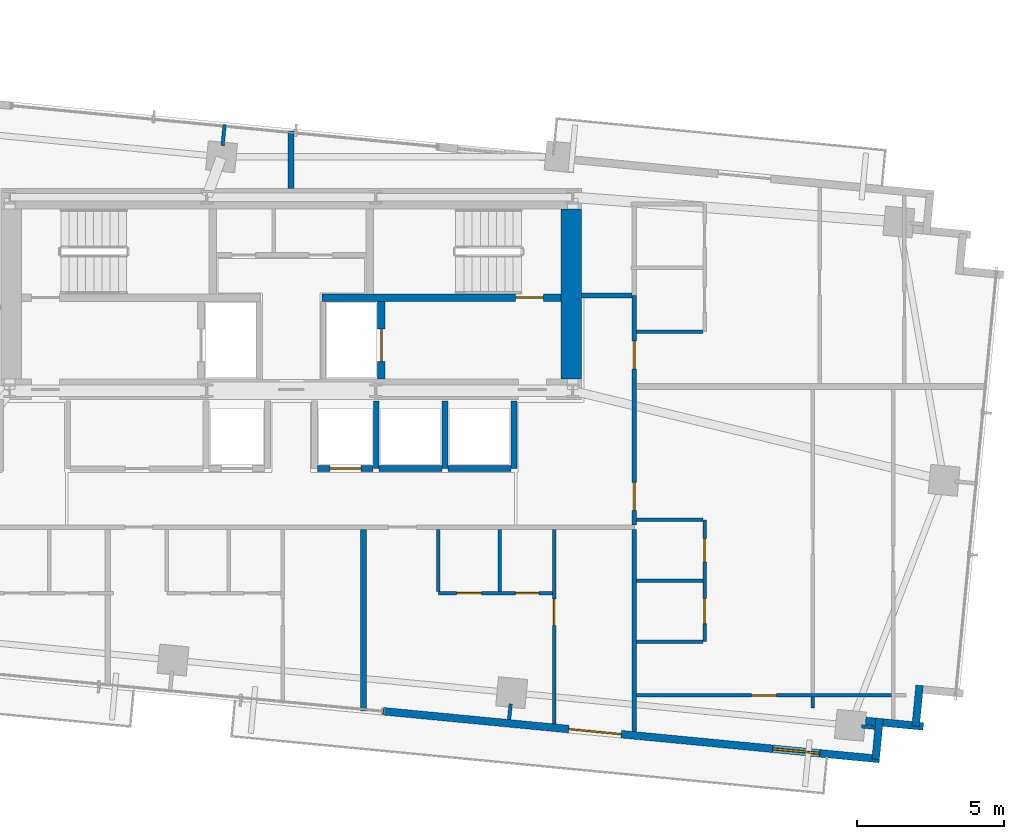
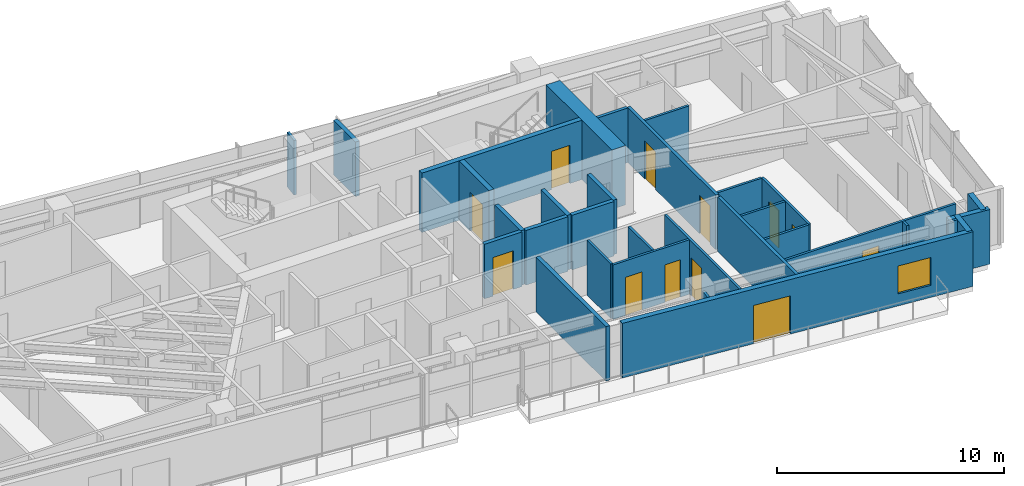
# One storey, part 16 of 19: 32 walls, 12 doors, 1 window, 13 openings.
"""IFC4 building model written with IfcOpenShell, lengths in metres."""

from ifc_helpers import new_model, si_unit, direction, frame, frame_2d, origin, place, context, subcontext, project, spatial, rectangle, extrude, source, transform, mapped, material, layer, layer_set, type_object, type_shapes, element, fill, save


model = new_model("IFC4")

# Units and contexts
model_context = context("Model", 3, precision=1e-05, world=origin(), true_north=direction((0.0, 1.0)))
body_context = subcontext(model_context, "Body", "Model", "MODEL_VIEW")
ifc_project = project(units=[si_unit("LENGTHUNIT", "METRE"), si_unit("AREAUNIT", "SQUARE_METRE"), si_unit("VOLUMEUNIT", "CUBIC_METRE"), si_unit("PLANEANGLEUNIT", "RADIAN"), si_unit("MASSUNIT", "GRAM", prefix="KILO")], contexts=[model_context])

# Site, building, storey
site_placement = place(None, origin())
site = spatial("IfcSite", under=ifc_project, at=site_placement, CompositionType="ELEMENT")
building_placement = place(site_placement, origin())
building = spatial("IfcBuilding", under=site, at=building_placement, Name="Astriad Promenade Condominiums", CompositionType="ELEMENT")
storey_placement = place(building_placement, frame((0.0, 0.0, 140.60009765625)))
storey = spatial("IfcBuildingStorey", under=building, at=storey_placement, Name="L40", CompositionType="ELEMENT", Elevation=140.60009765625)

# Wall
ifc_material_1 = material(Name="Concrete C60/75", Category="concrete")
ifc_layer_1 = layer(ifc_material_1, 0.699951171875)
ifc_layer_set_1 = layer_set([ifc_layer_1], Name="Concrete C60/75")
wall_type_1 = type_object("IfcWallType", Name="CW-SHEAR-700", PredefinedType="SHEAR", material=ifc_layer_set_1)
wall_1_placement = place(storey_placement, frame((45.550048828125, 17.802001953125, 0.0), z_axis=(0.0, 0.0, 1.0), x_axis=(0.0, 1.0, 0.0)))
element("IfcWall", 1, at=wall_1_placement, inside=storey, type_object=wall_type_1, Name="CW-CORE-E-L40", PredefinedType="SHEAR", context=body_context, shape_type="SweptSolid", body=[
    extrude(rectangle(XDim=5.7958984375, YDim=0.699951171875, at=frame_2d((2.89794921875, 0.0))), origin(), (0.0, 0.0, 1.0), 3.199951171875),
])

# Wall, opening, door
ifc_material_2 = material(Name="Concrete C50/60", Category="concrete")
ifc_layer_2 = layer(ifc_material_2, 0.25)
ifc_layer_set_2 = layer_set([ifc_layer_2], Name="Concrete C50/60")
wall_type_2 = type_object("IfcWallType", Name="WALL-CORE-INT-250", PredefinedType="SOLIDWALL", material=ifc_layer_set_2)
wall_2_placement = place(storey_placement, frame((37.050048828125, 20.574951171875, 0.0), z_axis=(0.0, 0.0, 1.0), x_axis=(1.0, 0.0, 0.0)))
wall_2 = element("IfcWall", 2, at=wall_2_placement, inside=storey, type_object=wall_type_2, Name="CW-INT-H2-L40", PredefinedType="SOLIDWALL", context=body_context, shape_type="SweptSolid", body=[
    extrude(rectangle(XDim=8.14794921875, YDim=0.25, at=frame_2d((4.073974609375, 0.0))), origin(), (0.0, 0.0, 1.0), 3.199951171875),
])
opening_1_placement = place(wall_2_placement, frame((6.60009765625, 0.0, 0.0)))
opening_1 = element("IfcOpeningElement", 3, at=opening_1_placement, cuts=wall_2, Name="Opening FD90-ST-095", PredefinedType="OPENING", context=body_context, shape_type="SweptSolid", body=[
    extrude(rectangle(XDim=0.949951171875, YDim=2.06005859375, at=frame_2d((0.47509765625, 1.030029296875))), frame((0.0, 0.135009765625, 0.0), z_axis=(0.0, -1.0, 0.0), x_axis=(1.0, 0.0, 0.0)), (0.0, 0.0, 1.0), 0.27001953125),
])
ifc_material_3 = material(Name="Fire-Rated Hollow Metal Stair Door")
door_type_1 = type_object("IfcDoorType", Name="FD90-ST-095", OperationType="NOTDEFINED", PredefinedType="DOOR", material=ifc_material_3)
shared_shape_1 = source(origin(), body_context, "Body", "SweptSolid", [
    extrude(rectangle(XDim=0.949951171875, YDim=2.06005859375, at=frame_2d((0.47509765625, 1.030029296875))), frame((0.0, 0.02490234375, 0.0), z_axis=(0.0, -1.0, 0.0), x_axis=(1.0, 0.0, 0.0)), (0.0, 0.0, 1.0), 0.050048828125),
])
type_shapes(door_type_1, [shared_shape_1])
door_1_placement = place(opening_1_placement, origin())
door_1 = element("IfcDoor", 4, at=door_1_placement, inside=storey, type_object=door_type_1, Name="D-ST2-L40", OperationType="SINGLE_SWING_LEFT", OverallHeight=2.06005859375, OverallWidth=0.949951171875, PredefinedType="DOOR", context=body_context, shape_type="MappedRepresentation", body=[
    mapped(shared_shape_1, transform((0.0, 0.0, 0.0), scale=1.0)),
])
fill(opening_1, door_1)

wall_3_placement = place(storey_placement, frame((39.074951171875, 17.802001953125, 0.0), z_axis=(0.0, 0.0, 1.0), x_axis=(0.0, 1.0, 0.0)))
wall_3 = element("IfcWall", 5, at=wall_3_placement, inside=storey, type_object=wall_type_2, Name="CW-FFL2-E-L40", PredefinedType="SOLIDWALL", context=body_context, shape_type="SweptSolid", body=[
    extrude(rectangle(XDim=2.64599609375, YDim=0.25, at=frame_2d((1.322998046875, 0.0))), origin(), (0.0, 0.0, 1.0), 3.199951171875),
])
opening_2_placement = place(wall_3_placement, frame((0.597900390625, 0.0, 0.0)))
opening_2 = element("IfcOpeningElement", 6, at=opening_2_placement, cuts=wall_3, Name="Opening LD-FFL-1122", PredefinedType="OPENING", context=body_context, shape_type="SweptSolid", body=[
    extrude(rectangle(XDim=1.10009765625, YDim=2.080078125, at=frame_2d((0.550048828125, 1.0400390625))), frame((0.0, 0.135009765625, 0.0), z_axis=(0.0, -1.0, 0.0), x_axis=(1.0, 0.0, 0.0)), (0.0, 0.0, 1.0), 0.27001953125),
])
ifc_material_4 = material(Name="Brushed Stainless Steel Fire Elevator Landing Door", Category="steel")
door_type_2 = type_object("IfcDoorType", Name="LD-FFL-1122", OperationType="NOTDEFINED", PredefinedType="DOOR", material=ifc_material_4)
shared_shape_2 = source(origin(), body_context, "Body", "SweptSolid", [
    extrude(rectangle(XDim=1.10009765625, YDim=2.080078125, at=frame_2d((0.550048828125, 1.0400390625))), frame((0.0, 0.02490234375, 0.0), z_axis=(0.0, -1.0, 0.0), x_axis=(1.0, 0.0, 0.0)), (0.0, 0.0, 1.0), 0.050048828125),
])
type_shapes(door_type_2, [shared_shape_2])
door_2_placement = place(opening_2_placement, origin())
door_2 = element("IfcDoor", 7, at=door_2_placement, inside=storey, type_object=door_type_2, Name="Elevator Landing Door FFL-2 (L40)", OperationType="SLIDING_TO_RIGHT", OverallHeight=2.080078125, OverallWidth=1.10009765625, PredefinedType="DOOR", context=body_context, shape_type="MappedRepresentation", body=[
    mapped(shared_shape_2, transform((0.0, 0.0, 0.0), scale=1.0)),
])
fill(opening_2, door_2)

# Wall
ifc_material_5 = material(Name="Fire-Rated Gypsum Partition")
ifc_layer_3 = layer(ifc_material_5, 0.159912109375)
ifc_layer_set_3 = layer_set([ifc_layer_3], Name="Fire-Rated Gypsum Partition")
wall_type_3 = type_object("IfcWallType", Name="WALL-CORR-160", PredefinedType="PARTITIONING", material=ifc_layer_set_3)
wall_4_placement = place(storey_placement, frame((47.699951171875, 5.783203125, 0.0), z_axis=(0.0, 0.0, 1.0), x_axis=(0.0, 1.0, 0.0)))
element("IfcWall", 8, at=wall_4_placement, inside=storey, type_object=wall_type_3, Name="PT-COR-E-L40", PredefinedType="PARTITIONING", context=body_context, shape_type="SweptSolid", body=[
    extrude(rectangle(XDim=6.884765625, YDim=0.159912109375, at=frame_2d((3.4423828125, 0.0))), origin(), (0.0, 0.0, 1.0), 2.93994140625),
])

# Wall, openings, doors
wall_5_placement = place(storey_placement, frame((47.699951171875, 12.83203125, 0.0), z_axis=(0.0, 0.0, 1.0), x_axis=(0.0, 1.0, 0.0)))
wall_5 = element("IfcWall", 9, at=wall_5_placement, inside=storey, type_object=wall_type_3, Name="PT-COR-E-L40-S2", PredefinedType="PARTITIONING", context=body_context, shape_type="SweptSolid", body=[
    extrude(rectangle(XDim=7.81787109375, YDim=0.159912109375, at=frame_2d((3.908935546875, 0.0))), origin(), (0.0, 0.0, 1.0), 2.93994140625),
])
opening_3_placement = place(wall_5_placement, frame((0.492919921875, 0.0, 0.0)))
opening_3 = element("IfcOpeningElement", 10, at=opening_3_placement, cuts=wall_5, Name="Opening FD60-APT-095", PredefinedType="OPENING", context=body_context, shape_type="SweptSolid", body=[
    extrude(rectangle(XDim=0.949951171875, YDim=2.06005859375, at=frame_2d((0.47509765625, 1.030029296875))), frame((0.0, 0.08984375, 0.0), z_axis=(0.0, -1.0, 0.0), x_axis=(1.0, 0.0, 0.0)), (0.0, 0.0, 1.0), 0.179931640625),
])
opening_4_placement = place(wall_5_placement, frame((5.31298828125, 0.0, 0.0)))
opening_4 = element("IfcOpeningElement", 11, at=opening_4_placement, cuts=wall_5, Name="Opening FD60-APT-095", PredefinedType="OPENING", context=body_context, shape_type="SweptSolid", body=[
    extrude(rectangle(XDim=0.949951171875, YDim=2.06005859375, at=frame_2d((0.47509765625, 1.030029296875))), frame((0.0, 0.08984375, 0.0), z_axis=(0.0, -1.0, 0.0), x_axis=(1.0, 0.0, 0.0)), (0.0, 0.0, 1.0), 0.179931640625),
])
ifc_material_6 = material(Name="Solid-Core Acoustic Timber Residence Entry Door", Category="wood")
door_type_3 = type_object("IfcDoorType", Name="FD60-APT-095", OperationType="NOTDEFINED", PredefinedType="DOOR", material=ifc_material_6)
shared_shape_3 = source(origin(), body_context, "Body", "SweptSolid", [
    extrude(rectangle(XDim=0.949951171875, YDim=2.06005859375, at=frame_2d((0.47509765625, 1.030029296875))), frame((0.0, 0.02490234375, 0.0), z_axis=(0.0, -1.0, 0.0), x_axis=(1.0, 0.0, 0.0)), (0.0, 0.0, 1.0), 0.050048828125),
])
type_shapes(door_type_3, [shared_shape_3])
door_3_placement = place(opening_3_placement, origin())
door_3 = element("IfcDoor", 12, at=door_3_placement, inside=storey, type_object=door_type_3, Name="D-ENT-L40-E1", OperationType="SINGLE_SWING_LEFT", OverallHeight=2.06005859375, OverallWidth=0.949951171875, PredefinedType="DOOR", context=body_context, shape_type="MappedRepresentation", body=[
    mapped(shared_shape_3, transform((0.0, 0.0, 0.0), scale=1.0)),
])
fill(opening_3, door_3)
door_4_placement = place(opening_4_placement, origin())
door_4 = element("IfcDoor", 13, at=door_4_placement, inside=storey, type_object=door_type_3, Name="D-ENT-L40-E2", OperationType="SINGLE_SWING_LEFT", OverallHeight=2.06005859375, OverallWidth=0.949951171875, PredefinedType="DOOR", context=body_context, shape_type="MappedRepresentation", body=[
    mapped(shared_shape_3, transform((0.0, 0.0, 0.0), scale=1.0)),
])
fill(opening_4, door_4)

# Walls
wall_6_placement = place(storey_placement, frame((45.902099609375, 20.64990234375, 0.0), z_axis=(0.0, 0.0, 1.0), x_axis=(1.0, 0.0, 0.0)))
element("IfcWall", 14, at=wall_6_placement, inside=storey, type_object=wall_type_3, Name="PT-Z3E-N-L40", PredefinedType="PARTITIONING", context=body_context, shape_type="SweptSolid", body=[
    extrude(rectangle(XDim=1.7158203125, YDim=0.159912109375, at=frame_2d((0.85791015625, 0.0))), origin(), (0.0, 0.0, 1.0), 2.93994140625),
])
ifc_material_7 = material(Name="Acoustic Double-Stud Gypsum Partition")
ifc_layer_4 = layer(ifc_material_7, 0.199951171875)
ifc_layer_set_4 = layer_set([ifc_layer_4], Name="Acoustic Double-Stud Gypsum Partition")
wall_type_4 = type_object("IfcWallType", Name="WALL-DEMISING-200", PredefinedType="PARTITIONING", material=ifc_layer_set_4)
wall_7_placement = place(storey_placement, frame((36.0, 24.302001953125, 0.0), z_axis=(0.0, 0.0, 1.0), x_axis=(0.0, 1.0, 0.0)))
element("IfcWall", 15, at=wall_7_placement, inside=storey, type_object=wall_type_4, Name="PT-NC-MID-L40", PredefinedType="PARTITIONING", context=body_context, shape_type="SweptSolid", body=[
    extrude(rectangle(XDim=1.954833984375, YDim=0.199951171875, at=frame_2d((0.9775390625, 0.0))), origin(), (0.0, 0.0, 1.0), 2.93994140625),
])
wall_8_placement = place(storey_placement, frame((38.466064453125, 6.489501953125, 0.0), z_axis=(0.0, 0.0, 1.0), x_axis=(0.0, 1.0, 0.0)))
element("IfcWall", 16, at=wall_8_placement, inside=storey, type_object=wall_type_4, Name="PT-DEM-S2-L40", PredefinedType="PARTITIONING", context=body_context, shape_type="SweptSolid", body=[
    extrude(rectangle(XDim=6.178466796875, YDim=0.199951171875, at=frame_2d((3.08935546875, 0.0))), origin(), (0.0, 0.0, 1.0), 2.93994140625),
])
ifc_material_8 = material(Name="Precast concrete C50/60", Category="concrete")
ifc_layer_5 = layer(ifc_material_8, 0.260009765625)
ifc_layer_set_5 = layer_set([ifc_layer_5], Name="Precast concrete C50/60")
wall_type_5 = type_object("IfcWallType", Name="WALL-EXT-TWR-260", PredefinedType="STANDARD", material=ifc_layer_set_5)
wall_9_placement = place(storey_placement, frame((57.42822265625, 7.35595703125, 0.0), z_axis=(0.0, 0.0, 1.0), x_axis=(-0.095915846097, -0.995389446633, 0.0)))
element("IfcWall", 17, at=wall_9_placement, inside=storey, type_object=wall_type_5, Name="W-SER-L40-15", PredefinedType="STANDARD", context=body_context, shape_type="SweptSolid", body=[
    extrude(rectangle(XDim=1.394775390625, YDim=0.260009765625, at=frame_2d((0.697265625, 0.0))), origin(), (0.0, 0.0, 1.0), 2.93994140625),
])
wall_10_placement = place(storey_placement, frame((57.5546875, 5.95751953125, 0.0), z_axis=(0.0, 0.0, 1.0), x_axis=(-0.995401789159, 0.095787672171, 0.0)))
element("IfcWall", 18, at=wall_10_placement, inside=storey, type_object=wall_type_5, Name="W-SER-L40-16", PredefinedType="STANDARD", context=body_context, shape_type="SweptSolid", body=[
    extrude(rectangle(XDim=1.977783203125, YDim=0.260009765625, at=frame_2d((0.98876953125, 0.0))), origin(), (0.0, 0.0, 1.0), 2.93994140625),
])
wall_11_placement = place(storey_placement, frame((56.064208984375, 6.231689453125, 0.0), z_axis=(0.0, 0.0, 1.0), x_axis=(-0.09589913835, -0.995391056452, 0.0)))
element("IfcWall", 19, at=wall_11_placement, inside=storey, type_object=wall_type_5, Name="W-SER-L40-17", PredefinedType="STANDARD", context=body_context, shape_type="SweptSolid", body=[
    extrude(rectangle(XDim=1.39501953125, YDim=0.260009765625, at=frame_2d((0.697509765625, 0.0))), origin(), (0.0, 0.0, 1.0), 2.93994140625),
])

# Wall, openings, door, window
wall_12_placement = place(storey_placement, frame((56.061279296875, 4.845458984375, 0.0), z_axis=(0.0, 0.0, 1.0), x_axis=(-0.995395976631, 0.095848055311, 0.0)))
wall_12 = element("IfcWall", 20, at=wall_12_placement, inside=storey, type_object=wall_type_5, Name="W-EXT-L40-S1", PredefinedType="STANDARD", context=body_context, shape_type="SweptSolid", body=[
    extrude(rectangle(XDim=17.010009765625, YDim=0.260009765625, at=frame_2d((8.5048828125, 0.0))), origin(), (0.0, 0.0, 1.0), 2.93994140625),
])
opening_5_placement = place(wall_12_placement, frame((8.845947265625, 0.0, 0.0)))
opening_5 = element("IfcOpeningElement", 21, at=opening_5_placement, cuts=wall_12, Name="Opening BD-1822-SLD", PredefinedType="OPENING", context=body_context, shape_type="SweptSolid", body=[
    extrude(rectangle(XDim=1.800048828125, YDim=2.06005859375, at=frame_2d((0.89990234375, 1.030029296875))), frame((0.0, 0.139892578125, 0.0), z_axis=(0.0, -1.0, 0.0), x_axis=(1.0, 0.0, 0.0)), (0.0, 0.0, 1.0), 0.280029296875),
])
opening_6_placement = place(wall_12_placement, frame((2.050048828125, 0.0, 0.64990234375)))
opening_6 = element("IfcOpeningElement", 22, at=opening_6_placement, cuts=wall_12, Name="Opening WIN-TWR-1620", PredefinedType="OPENING", context=body_context, shape_type="SweptSolid", body=[
    extrude(rectangle(XDim=1.60009765625, YDim=1.5, at=frame_2d((0.800048828125, 0.75))), frame((0.0, 0.139892578125, 0.0), z_axis=(0.0, -1.0, 0.0), x_axis=(1.0, 0.0, 0.0)), (0.0, 0.0, 1.0), 0.280029296875),
])
ifc_material_9 = material(Name="Thermally Broken Aluminium Sliding Balcony Door", Category="aluminium")
door_type_4 = type_object("IfcDoorType", Name="BD-1822-SLD", OperationType="NOTDEFINED", PredefinedType="DOOR", material=ifc_material_9)
shared_shape_4 = source(origin(), body_context, "Body", "SweptSolid", [
    extrude(rectangle(XDim=1.800048828125, YDim=2.06005859375, at=frame_2d((0.89990234375, 1.030029296875))), frame((0.0, 0.02490234375, 0.0), z_axis=(0.0, -1.0, 0.0), x_axis=(1.0, 0.0, 0.0)), (0.0, 0.0, 1.0), 0.050048828125),
])
type_shapes(door_type_4, [shared_shape_4])
door_5_placement = place(opening_5_placement, origin())
door_5 = element("IfcDoor", 23, at=door_5_placement, inside=storey, type_object=door_type_4, Name="BD-L40-SE", OperationType="SLIDING_TO_RIGHT", OverallHeight=2.06005859375, OverallWidth=1.800048828125, PredefinedType="DOOR", context=body_context, shape_type="MappedRepresentation", body=[
    mapped(shared_shape_4, transform((0.0, 0.0, 0.0), scale=1.0)),
])
fill(opening_5, door_5)
ifc_material_10 = material(Name="Dark Tinted Triple-Glazed Aluminium Window", Category="aluminium")
window_type = type_object("IfcWindowType", Name="WIN-TWR-1620", PartitioningType="SINGLE_PANEL", PredefinedType="WINDOW", material=ifc_material_10)
shared_shape_5 = source(origin(), body_context, "Body", "SweptSolid", [
    extrude(rectangle(XDim=1.60009765625, YDim=1.5, at=frame_2d((0.800048828125, 0.75))), frame((0.0, 0.030029296875, 0.0), z_axis=(0.0, -1.0, 0.0), x_axis=(1.0, 0.0, 0.0)), (0.0, 0.0, 1.0), 0.06005859375),
])
type_shapes(window_type, [shared_shape_5])
window_placement = place(opening_6_placement, origin())
window = element("IfcWindow", 24, at=window_placement, inside=storey, type_object=window_type, Name="WIN-L40-SE", OverallHeight=1.5, OverallWidth=1.60009765625, PartitioningType="SINGLE_PANEL", PredefinedType="WINDOW", context=body_context, shape_type="MappedRepresentation", body=[
    mapped(shared_shape_5, transform((0.0, 0.0, 0.0), scale=1.0)),
])
fill(opening_6, window)

# Wall, opening, door
ifc_material_11 = material(Name="Acoustic Metal-Stud Gypsum Partition")
ifc_layer_6 = layer(ifc_material_11, 0.1201171875)
ifc_layer_set_6 = layer_set([ifc_layer_6], Name="Acoustic Metal-Stud Gypsum Partition")
wall_type_6 = type_object("IfcWallType", Name="WALL-PART-120", PredefinedType="PARTITIONING", material=ifc_layer_set_6)
wall_13_placement = place(storey_placement, frame((44.969970703125, 6.046142578125, 0.0), z_axis=(0.0, 0.0, 1.0), x_axis=(0.0, 1.0, 0.0)))
wall_13 = element("IfcWall", 25, at=wall_13_placement, inside=storey, type_object=wall_type_6, Name="PT-L40-S3-BD1", PredefinedType="PARTITIONING", context=body_context, shape_type="SweptSolid", body=[
    extrude(rectangle(XDim=6.621826171875, YDim=0.1201171875, at=frame_2d((3.31103515625, 0.0))), origin(), (0.0, 0.0, 1.0), 2.93994140625),
])
opening_7_placement = place(wall_13_placement, frame((3.35400390625, 0.0, 0.0)))
opening_7 = element("IfcOpeningElement", 26, at=opening_7_placement, cuts=wall_13, Name="Opening D-INT-090", PredefinedType="OPENING", context=body_context, shape_type="SweptSolid", body=[
    extrude(rectangle(XDim=0.89990234375, YDim=2.050048828125, at=frame_2d((0.449951171875, 1.02490234375))), frame((0.0, 0.070068359375, 0.0), z_axis=(0.0, -1.0, 0.0), x_axis=(1.0, 0.0, 0.0)), (0.0, 0.0, 1.0), 0.14013671875),
])
ifc_material_12 = material(Name="Painted Solid-Core Timber Bedroom Door", Category="wood")
door_type_5 = type_object("IfcDoorType", Name="D-INT-090", OperationType="NOTDEFINED", PredefinedType="DOOR", material=ifc_material_12)
shared_shape_6 = source(origin(), body_context, "Body", "SweptSolid", [
    extrude(rectangle(XDim=0.89990234375, YDim=2.050048828125, at=frame_2d((0.449951171875, 1.02490234375))), frame((0.0, 0.02490234375, 0.0), z_axis=(0.0, -1.0, 0.0), x_axis=(1.0, 0.0, 0.0)), (0.0, 0.0, 1.0), 0.050048828125),
])
type_shapes(door_type_5, [shared_shape_6])
door_6_placement = place(opening_7_placement, origin())
door_6 = element("IfcDoor", 27, at=door_6_placement, inside=storey, type_object=door_type_5, Name="D-BD1-L40-S3", OperationType="SINGLE_SWING_LEFT", OverallHeight=2.050048828125, OverallWidth=0.89990234375, PredefinedType="DOOR", context=body_context, shape_type="MappedRepresentation", body=[
    mapped(shared_shape_6, transform((0.0, 0.0, 0.0), scale=1.0)),
])
fill(opening_7, door_6)

# Wall, openings, doors
wall_14_placement = place(storey_placement, frame((41.02001953125, 10.5, 0.0), z_axis=(0.0, 0.0, 1.0), x_axis=(1.0, 0.0, 0.0)))
wall_14 = element("IfcWall", 28, at=wall_14_placement, inside=storey, type_object=wall_type_6, Name="PT-L40-S3-PS", PredefinedType="PARTITIONING", context=body_context, shape_type="SweptSolid", body=[
    extrude(rectangle(XDim=3.887939453125, YDim=0.1201171875, at=frame_2d((1.94384765625, 0.0))), origin(), (0.0, 0.0, 1.0), 2.93994140625),
])
opening_8_placement = place(wall_14_placement, frame((0.625, 0.0, 0.0)))
opening_8 = element("IfcOpeningElement", 29, at=opening_8_placement, cuts=wall_14, Name="Opening D-INT-085", PredefinedType="OPENING", context=body_context, shape_type="SweptSolid", body=[
    extrude(rectangle(XDim=0.85009765625, YDim=2.050048828125, at=frame_2d((0.425048828125, 1.02490234375))), frame((0.0, 0.070068359375, 0.0), z_axis=(0.0, -1.0, 0.0), x_axis=(1.0, 0.0, 0.0)), (0.0, 0.0, 1.0), 0.14013671875),
])
opening_9_placement = place(wall_14_placement, frame((2.625, 0.0, 0.0)))
opening_9 = element("IfcOpeningElement", 30, at=opening_9_placement, cuts=wall_14, Name="Opening D-WET-080", PredefinedType="OPENING", context=body_context, shape_type="SweptSolid", body=[
    extrude(rectangle(XDim=0.800048828125, YDim=2.02001953125, at=frame_2d((0.39990234375, 1.010009765625))), frame((0.0, 0.070068359375, 0.0), z_axis=(0.0, -1.0, 0.0), x_axis=(1.0, 0.0, 0.0)), (0.0, 0.0, 1.0), 0.14013671875),
])
ifc_material_13 = material(Name="Moisture-Resistant Timber Bathroom Door", Category="wood")
door_type_6 = type_object("IfcDoorType", Name="D-WET-080", OperationType="NOTDEFINED", PredefinedType="DOOR", material=ifc_material_13)
shared_shape_7 = source(origin(), body_context, "Body", "SweptSolid", [
    extrude(rectangle(XDim=0.800048828125, YDim=2.02001953125, at=frame_2d((0.39990234375, 1.010009765625))), frame((0.0, 0.02490234375, 0.0), z_axis=(0.0, -1.0, 0.0), x_axis=(1.0, 0.0, 0.0)), (0.0, 0.0, 1.0), 0.050048828125),
])
type_shapes(door_type_6, [shared_shape_7])
door_7_placement = place(opening_9_placement, origin())
door_7 = element("IfcDoor", 31, at=door_7_placement, inside=storey, type_object=door_type_6, Name="D-BTH-L40-S3", OperationType="SINGLE_SWING_LEFT", OverallHeight=2.02001953125, OverallWidth=0.800048828125, PredefinedType="DOOR", context=body_context, shape_type="MappedRepresentation", body=[
    mapped(shared_shape_7, transform((0.0, 0.0, 0.0), scale=1.0)),
])
fill(opening_9, door_7)
ifc_material_14 = material(Name="Painted Solid-Core Timber Room Door", Category="wood")
door_type_7 = type_object("IfcDoorType", Name="D-INT-085", OperationType="NOTDEFINED", PredefinedType="DOOR", material=ifc_material_14)
shared_shape_8 = source(origin(), body_context, "Body", "SweptSolid", [
    extrude(rectangle(XDim=0.85009765625, YDim=2.050048828125, at=frame_2d((0.425048828125, 1.02490234375))), frame((0.0, 0.02490234375, 0.0), z_axis=(0.0, -1.0, 0.0), x_axis=(1.0, 0.0, 0.0)), (0.0, 0.0, 1.0), 0.050048828125),
])
type_shapes(door_type_7, [shared_shape_8])
door_8_placement = place(opening_8_placement, origin())
door_8 = element("IfcDoor", 32, at=door_8_placement, inside=storey, type_object=door_type_7, Name="D-KIT-L40-S3", OperationType="SINGLE_SWING_RIGHT", OverallHeight=2.050048828125, OverallWidth=0.85009765625, PredefinedType="DOOR", context=body_context, shape_type="MappedRepresentation", body=[
    mapped(shared_shape_8, transform((0.0, 0.0, 0.0), scale=1.0)),
])
fill(opening_8, door_8)

# Walls
for number, where, z_axis, x_axis, name in (
    (33, (43.1201171875, 10.56201171875, 0.0), (0.0, 0.0, 1.0), (0.0, 1.0, 0.0), "PT-L40-S3-PBK"),
    (34, (41.02001953125, 10.56201171875, 0.0), (0.0, 0.0, 1.0), (0.0, 1.0, 0.0), "PT-L40-S3-PKW"),
):
    element("IfcWall", number, at=place(storey_placement, frame(where, z_axis=z_axis, x_axis=x_axis)), inside=storey, type_object=wall_type_6, Name=name, PredefinedType="PARTITIONING", context=body_context, shape_type="SweptSolid", body=[
        extrude(rectangle(XDim=2.10595703125, YDim=0.1201171875, at=frame_2d((1.052978515625, 0.0))), origin(), (0.0, 0.0, 1.0), 2.93994140625),
    ])

# Wall, openings, doors
wall_15_placement = place(storey_placement, frame((50.10009765625, 8.85009765625, 0.0), z_axis=(0.0, 0.0, 1.0), x_axis=(0.0, 1.0, 0.0)))
wall_15 = element("IfcWall", 35, at=wall_15_placement, inside=storey, type_object=wall_type_6, Name="PT-L40-E1-PV", PredefinedType="PARTITIONING", context=body_context, shape_type="SweptSolid", body=[
    extrude(rectangle(XDim=4.14990234375, YDim=0.1201171875, at=frame_2d((2.074951171875, 0.0))), origin(), (0.0, 0.0, 1.0), 2.93994140625),
])
opening_10_placement = place(wall_15_placement, frame((0.612060546875, 0.0, 0.0)))
opening_10 = element("IfcOpeningElement", 36, at=opening_10_placement, cuts=wall_15, Name="Opening D-INT-085", PredefinedType="OPENING", context=body_context, shape_type="SweptSolid", body=[
    extrude(rectangle(XDim=0.85009765625, YDim=2.050048828125, at=frame_2d((0.425048828125, 1.02490234375))), frame((0.0, 0.070068359375, 0.0), z_axis=(0.0, -1.0, 0.0), x_axis=(1.0, 0.0, 0.0)), (0.0, 0.0, 1.0), 0.14013671875),
])
opening_11_placement = place(wall_15_placement, frame((2.712890625, 0.0, 0.0)))
opening_11 = element("IfcOpeningElement", 37, at=opening_11_placement, cuts=wall_15, Name="Opening D-WET-080", PredefinedType="OPENING", context=body_context, shape_type="SweptSolid", body=[
    extrude(rectangle(XDim=0.800048828125, YDim=2.02001953125, at=frame_2d((0.39990234375, 1.010009765625))), frame((0.0, 0.070068359375, 0.0), z_axis=(0.0, -1.0, 0.0), x_axis=(1.0, 0.0, 0.0)), (0.0, 0.0, 1.0), 0.14013671875),
])
door_9_placement = place(opening_11_placement, origin())
door_9 = element("IfcDoor", 38, at=door_9_placement, inside=storey, type_object=door_type_6, Name="D-BTH-L40-E1", OperationType="SINGLE_SWING_LEFT", OverallHeight=2.02001953125, OverallWidth=0.800048828125, PredefinedType="DOOR", context=body_context, shape_type="MappedRepresentation", body=[
    mapped(shared_shape_7, transform((0.0, 0.0, 0.0), scale=1.0)),
])
fill(opening_11, door_9)
door_10_placement = place(opening_10_placement, origin())
door_10 = element("IfcDoor", 39, at=door_10_placement, inside=storey, type_object=door_type_7, Name="D-KIT-L40-E1", OperationType="SINGLE_SWING_RIGHT", OverallHeight=2.050048828125, OverallWidth=0.85009765625, PredefinedType="DOOR", context=body_context, shape_type="MappedRepresentation", body=[
    mapped(shared_shape_8, transform((0.0, 0.0, 0.0), scale=1.0)),
])
fill(opening_10, door_10)

# Walls
for number, where, z_axis, x_axis, name in (
    (40, (47.781982421875, 10.925048828125, 0.0), (0.0, 0.0, 1.0), (1.0, 0.0, 0.0), "PT-L40-E1-PM"),
    (41, (47.781982421875, 8.85009765625, 0.0), (0.0, 0.0, 1.0), (1.0, 0.0, 0.0), "PT-L40-E1-PS"),
    (42, (47.781982421875, 13.0, 0.0), (0.0, 0.0, 1.0), (1.0, 0.0, 0.0), "PT-L40-E1-PN"),
):
    element("IfcWall", number, at=place(storey_placement, frame(where, z_axis=z_axis, x_axis=x_axis)), inside=storey, type_object=wall_type_6, Name=name, PredefinedType="PARTITIONING", context=body_context, shape_type="SweptSolid", body=[
        extrude(rectangle(XDim=2.256103515625, YDim=0.1201171875, at=frame_2d((1.1279296875, 0.0))), origin(), (0.0, 0.0, 1.0), 2.93994140625),
    ])

# Wall, opening, door
wall_16_placement = place(storey_placement, frame((47.781982421875, 7.01904296875, 0.0), z_axis=(0.0, 0.0, 1.0), x_axis=(1.0, 0.0, 0.0)))
wall_16 = element("IfcWall", 43, at=wall_16_placement, inside=storey, type_object=wall_type_6, Name="PT-L40-E1-WDS1", PredefinedType="PARTITIONING", context=body_context, shape_type="SweptSolid", body=[
    extrude(rectangle(XDim=8.68212890625, YDim=0.1201171875, at=frame_2d((4.341064453125, 0.0))), origin(), (0.0, 0.0, 1.0), 2.93994140625),
])
opening_12_placement = place(wall_16_placement, frame((3.916015625, 0.0, 0.0)))
opening_12 = element("IfcOpeningElement", 44, at=opening_12_placement, cuts=wall_16, Name="Opening D-INT-085", PredefinedType="OPENING", context=body_context, shape_type="SweptSolid", body=[
    extrude(rectangle(XDim=0.85009765625, YDim=2.050048828125, at=frame_2d((0.425048828125, 1.02490234375))), frame((0.0, 0.070068359375, 0.0), z_axis=(0.0, -1.0, 0.0), x_axis=(1.0, 0.0, 0.0)), (0.0, 0.0, 1.0), 0.14013671875),
])
door_11_placement = place(opening_12_placement, origin())
door_11 = element("IfcDoor", 45, at=door_11_placement, inside=storey, type_object=door_type_7, Name="D-WDS1-L40-E1", OperationType="SINGLE_SWING_LEFT", OverallHeight=2.050048828125, OverallWidth=0.85009765625, PredefinedType="DOOR", context=body_context, shape_type="MappedRepresentation", body=[
    mapped(shared_shape_8, transform((0.0, 0.0, 0.0), scale=1.0)),
])
fill(opening_12, door_11)

# Walls
wall_17_placement = place(storey_placement, frame((53.7919921875, 6.5791015625, 0.0), z_axis=(0.0, 0.0, 1.0), x_axis=(0.0, 1.0, 0.0)))
element("IfcWall", 46, at=wall_17_placement, inside=storey, type_object=wall_type_6, Name="PT-L40-E1-WDV2", PredefinedType="PARTITIONING", context=body_context, shape_type="SweptSolid", body=[
    extrude(rectangle(XDim=0.3779296875, YDim=0.1201171875, at=frame_2d((0.18896484375, 0.0))), origin(), (0.0, 0.0, 1.0), 2.93994140625),
])
wall_18_placement = place(storey_placement, frame((47.781982421875, 19.419921875, 0.0), z_axis=(0.0, 0.0, 1.0), x_axis=(1.0, 0.0, 0.0)))
element("IfcWall", 47, at=wall_18_placement, inside=storey, type_object=wall_type_6, Name="PT-L40-E2-PS", PredefinedType="PARTITIONING", context=body_context, shape_type="SweptSolid", body=[
    extrude(rectangle(XDim=2.256103515625, YDim=0.1201171875, at=frame_2d((1.1279296875, 0.0))), origin(), (0.0, 0.0, 1.0), 2.93994140625),
])
wall_19_placement = place(storey_placement, frame((43.48388671875, 6.7294921875, 0.0), z_axis=(0.0, 0.0, 1.0), x_axis=(-0.095772948675, -0.995403205893, 0.0)))
element("IfcWall", 48, at=wall_19_placement, inside=storey, type_object=wall_type_6, Name="PT-PIL-L40-PC04-11", PredefinedType="PARTITIONING", context=body_context, shape_type="SweptSolid", body=[
    extrude(rectangle(XDim=0.537841796875, YDim=0.1201171875, at=frame_2d((0.26904296875, 0.0))), origin(), (0.0, 0.0, 1.0), 2.93994140625),
])
wall_20_placement = place(storey_placement, frame((55.4453125, 5.959716796875, 0.0), z_axis=(0.0, 0.0, 1.0), x_axis=(0.995384576284, -0.09596637586, 0.0)))
element("IfcWall", 49, at=wall_20_placement, inside=storey, type_object=wall_type_6, Name="PT-PIL-L40-PC05-12", PredefinedType="PARTITIONING", context=body_context, shape_type="SweptSolid", body=[
    extrude(rectangle(XDim=0.4580078125, YDim=0.1201171875, at=frame_2d((0.22900390625, 0.0))), origin(), (0.0, 0.0, 1.0), 2.93994140625),
])
wall_21_placement = place(storey_placement, frame((33.66259765625, 25.758544921875, 0.0), z_axis=(0.0, 0.0, 1.0), x_axis=(0.095977354523, 0.995383517755, 0.0)))
element("IfcWall", 50, at=wall_21_placement, inside=storey, type_object=wall_type_6, Name="PT-PIL-L40-PC08-15", PredefinedType="PARTITIONING", context=body_context, shape_type="SweptSolid", body=[
    extrude(rectangle(XDim=0.719970703125, YDim=0.1201171875, at=frame_2d((0.35986328125, 0.0))), origin(), (0.0, 0.0, 1.0), 2.93994140625),
])
ifc_material_15 = material(Name="Gypsum Shaftliner Assembly")
ifc_layer_7 = layer(ifc_material_15, 0.199951171875)
ifc_layer_set_7 = layer_set([ifc_layer_7], Name="Gypsum Shaftliner Assembly")
wall_type_7 = type_object("IfcWallType", Name="WALL-SHAFT-200", PredefinedType="PARTITIONING", material=ifc_layer_set_7)
wall_22_placement = place(storey_placement, frame((38.89990234375, 14.75, 0.0), z_axis=(0.0, 0.0, 1.0), x_axis=(0.0, 1.0, 0.0)))
element("IfcWall", 51, at=wall_22_placement, inside=storey, type_object=wall_type_7, Name="PL-MH-DIV-L40", PredefinedType="PARTITIONING", context=body_context, shape_type="SweptSolid", body=[
    extrude(rectangle(XDim=2.300048828125, YDim=0.199951171875, at=frame_2d((1.14990234375, 0.0))), origin(), (0.0, 0.0, 1.0), 2.93994140625),
])

# Wall, opening, door
wall_23_placement = place(storey_placement, frame((36.902099609375, 14.75, 0.0), z_axis=(0.0, 0.0, 1.0), x_axis=(1.0, 0.0, 0.0)))
wall_23 = element("IfcWall", 52, at=wall_23_placement, inside=storey, type_object=wall_type_7, Name="PL-M2-F-L40", PredefinedType="PARTITIONING", context=body_context, shape_type="SweptSolid", body=[
    extrude(rectangle(XDim=1.89599609375, YDim=0.199951171875, at=frame_2d((0.947998046875, 0.0))), origin(), (0.0, 0.0, 1.0), 2.93994140625),
])
opening_13_placement = place(wall_23_placement, frame((0.423095703125, 0.0, 0.0)))
opening_13 = element("IfcOpeningElement", 53, at=opening_13_placement, cuts=wall_23, Name="Opening LD-PL-10522", PredefinedType="OPENING", context=body_context, shape_type="SweptSolid", body=[
    extrude(rectangle(XDim=1.050048828125, YDim=2.080078125, at=frame_2d((0.52490234375, 1.0400390625))), frame((0.0, 0.10986328125, 0.0), z_axis=(0.0, -1.0, 0.0), x_axis=(1.0, 0.0, 0.0)), (0.0, 0.0, 1.0), 0.219970703125),
])
ifc_material_16 = material(Name="Brushed Bronze Passenger Elevator Landing Door")
door_type_8 = type_object("IfcDoorType", Name="LD-PL-10522", OperationType="NOTDEFINED", PredefinedType="DOOR", material=ifc_material_16)
shared_shape_9 = source(origin(), body_context, "Body", "SweptSolid", [
    extrude(rectangle(XDim=1.050048828125, YDim=2.080078125, at=frame_2d((0.52490234375, 1.0400390625))), frame((0.0, 0.02490234375, 0.0), z_axis=(0.0, -1.0, 0.0), x_axis=(1.0, 0.0, 0.0)), (0.0, 0.0, 1.0), 0.050048828125),
])
type_shapes(door_type_8, [shared_shape_9])
door_12_placement = place(opening_13_placement, origin())
door_12 = element("IfcDoor", 54, at=door_12_placement, inside=storey, type_object=door_type_8, Name="Elevator Landing Door PL-M2 (L40)", OperationType="SLIDING_TO_RIGHT", OverallHeight=2.080078125, OverallWidth=1.050048828125, PredefinedType="DOOR", context=body_context, shape_type="MappedRepresentation", body=[
    mapped(shared_shape_9, transform((0.0, 0.0, 0.0), scale=1.0)),
])
fill(opening_13, door_12)

# Walls
for number, where, z_axis, x_axis, name in (
    (55, (41.25, 14.75, 0.0), (0.0, 0.0, 1.0), (0.0, 1.0, 0.0), "PL-H-DIV-L40"),
    (56, (43.60009765625, 14.75, 0.0), (0.0, 0.0, 1.0), (0.0, 1.0, 0.0), "PL-E-OUT-L40"),
):
    element("IfcWall", number, at=place(storey_placement, frame(where, z_axis=z_axis, x_axis=x_axis)), inside=storey, type_object=wall_type_7, Name=name, PredefinedType="PARTITIONING", context=body_context, shape_type="SweptSolid", body=[
        extrude(rectangle(XDim=2.300048828125, YDim=0.199951171875, at=frame_2d((1.14990234375, 0.0))), origin(), (0.0, 0.0, 1.0), 2.93994140625),
    ])
for number, where, z_axis, x_axis, name in (
    (57, (39.001953125, 14.75, 0.0), (0.0, 0.0, 1.0), (1.0, 0.0, 0.0), "PL-H-FRT-L40"),
    (58, (41.35205078125, 14.75, 0.0), (0.0, 0.0, 1.0), (1.0, 0.0, 0.0), "PL-H-FRT-L40-S2"),
):
    element("IfcWall", number, at=place(storey_placement, frame(where, z_axis=z_axis, x_axis=x_axis)), inside=storey, type_object=wall_type_7, Name=name, PredefinedType="PARTITIONING", context=body_context, shape_type="SweptSolid", body=[
        extrude(rectangle(XDim=2.14599609375, YDim=0.199951171875, at=frame_2d((1.072998046875, 0.0))), origin(), (0.0, 0.0, 1.0), 2.93994140625),
    ])

save(model, "model.ifc")
